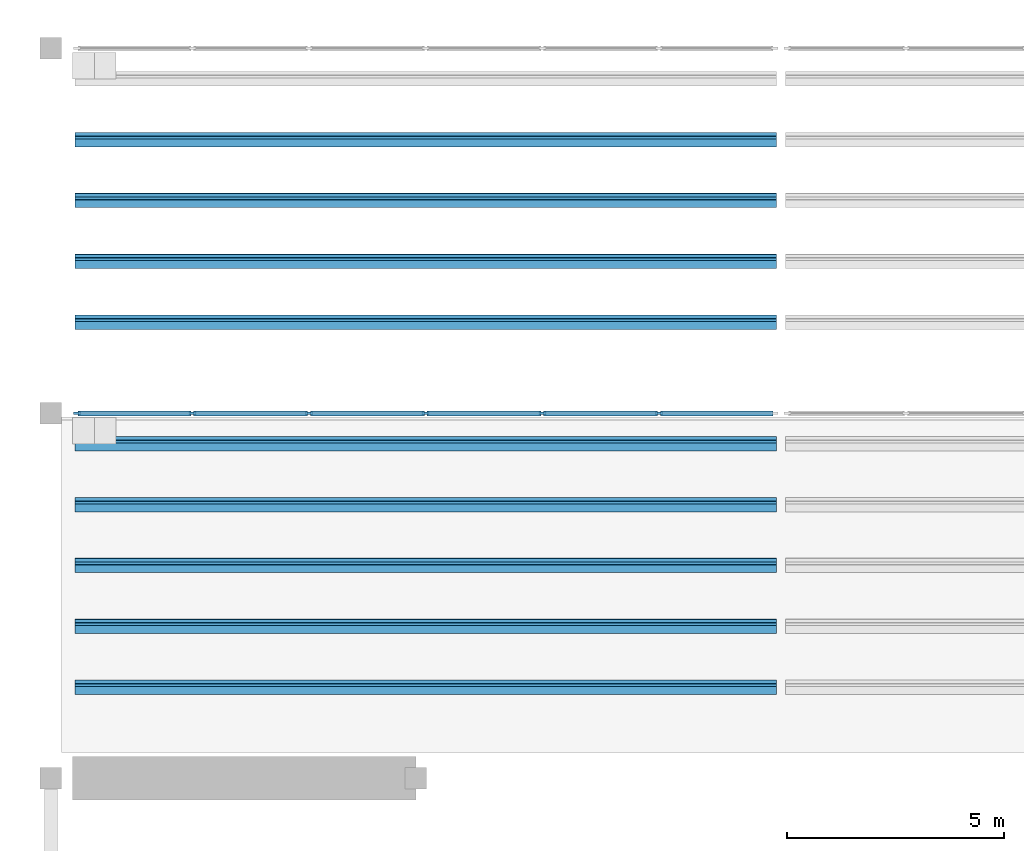
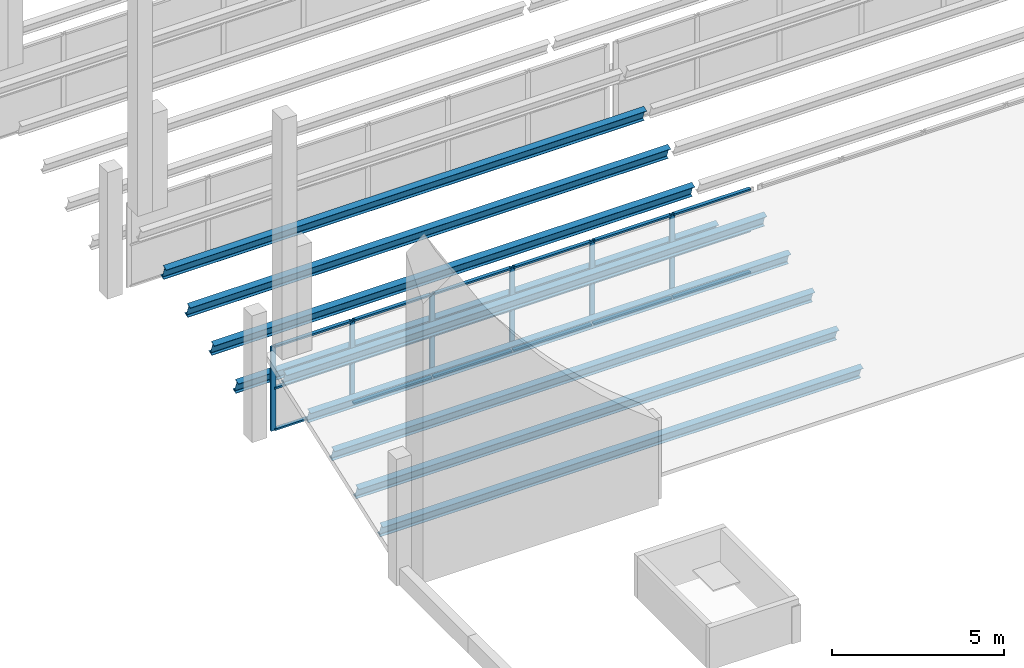
# One storey, part 6 of 116: 33 members, 1 element without a shape of its own.
"""IFC4 building model written with IfcOpenShell, lengths in metres."""

from ifc_helpers import new_model, si_unit, direction, frame, origin, origin_2d, place, context, subcontext, project, spatial, rectangle, i_section, extrude, material, material_profile, profile_set, type_object, element, aggregate, save


model = new_model("IFC4")

# Units and contexts
model_context = context("Model", 3, precision=1e-05, world=origin(), true_north=direction((0.0, 1.0)))
body_context = subcontext(model_context, "Body", "Model", "MODEL_VIEW")
ifc_project = project(units=[si_unit("LENGTHUNIT", "METRE"), si_unit("AREAUNIT", "SQUARE_METRE"), si_unit("VOLUMEUNIT", "CUBIC_METRE"), si_unit("PLANEANGLEUNIT", "RADIAN"), si_unit("MASSUNIT", "GRAM", prefix="KILO")], contexts=[model_context])

# Site, building, storey
site_placement = place(None, origin())
site = spatial("IfcSite", under=ifc_project, at=site_placement, CompositionType="ELEMENT")
building_placement = place(site_placement, origin())
building = spatial("IfcBuilding", under=site, at=building_placement, Name="Fescue Hill Polytechnic", CompositionType="ELEMENT")
storey_placement = place(building_placement, frame((0.0, 0.0, 13.5)))
storey = spatial("IfcBuildingStorey", under=building, at=storey_placement, Name="L03", CompositionType="ELEMENT", Elevation=13.5)

# Curtain wall, members
ifc_material_1 = material(Name="Aluminium and glass", Category="aluminium")
curtain_wall_type = type_object("IfcCurtainWallType", Name="Sawtooth north glazing curtain wall", PredefinedType="NOTDEFINED", material=ifc_material_1)
curtain_wall_placement = place(storey_placement, origin())
curtain_wall = element("IfcCurtainWall", 1, at=curtain_wall_placement, inside=storey, type_object=curtain_wall_type, Name="Sawtooth 1 north glazing bay 1", PredefinedType="NOTDEFINED")
ifc_material_2 = material(Name="Aluminium", Category="aluminium")
ifc_material_profile_1 = material_profile(ifc_material_2, rectangle(XDim=0.06005859375, YDim=0.159912109375, at=origin_2d()), Name="Curtain wall mullion 60x160")
ifc_profile_set_1 = profile_set([ifc_material_profile_1], Name="Aluminium")
member_type_1 = type_object("IfcMemberType", Name="Curtain wall mullion 60x160", PredefinedType="MULLION", material=ifc_profile_set_1)
member_1_placement = place(storey_placement, frame((0.60009765625, 25.199951171875, 0.0), z_axis=(0.0, 0.0, 1.0), x_axis=(0.0, 1.0, 0.0)))
member_1 = element("IfcMember", 2, at=member_1_placement, type_object=member_type_1, Name="CW1 mullion 1", PredefinedType="MULLION", context=body_context, shape_type="SweptSolid", body=[
    extrude(rectangle(XDim=0.06005859375, YDim=0.159912109375, at=origin_2d()), origin(), (0.0, 0.0, 1.0), 3.0),
])
member_2_placement = place(storey_placement, frame((3.2548828125, 25.199951171875, 0.0), z_axis=(0.0, 0.0, 1.0), x_axis=(0.0, 1.0, 0.0)))
member_2 = element("IfcMember", 3, at=member_2_placement, type_object=member_type_1, Name="CW1 mullion 2", PredefinedType="MULLION", context=body_context, shape_type="SweptSolid", body=[
    extrude(rectangle(XDim=0.06005859375, YDim=0.159912109375, at=origin_2d()), origin(), (0.0, 0.0, 1.0), 3.0),
])
member_3_placement = place(storey_placement, frame((5.93994140625, 25.199951171875, 0.0), z_axis=(0.0, 0.0, 1.0), x_axis=(0.0, 1.0, 0.0)))
member_3 = element("IfcMember", 4, at=member_3_placement, type_object=member_type_1, Name="CW1 mullion 3", PredefinedType="MULLION", context=body_context, shape_type="SweptSolid", body=[
    extrude(rectangle(XDim=0.06005859375, YDim=0.159912109375, at=origin_2d()), origin(), (0.0, 0.0, 1.0), 3.0),
])
member_4_placement = place(storey_placement, frame((8.625, 25.199951171875, 0.0), z_axis=(0.0, 0.0, 1.0), x_axis=(0.0, 1.0, 0.0)))
member_4 = element("IfcMember", 5, at=member_4_placement, type_object=member_type_1, Name="CW1 mullion 4", PredefinedType="MULLION", context=body_context, shape_type="SweptSolid", body=[
    extrude(rectangle(XDim=0.06005859375, YDim=0.159912109375, at=origin_2d()), origin(), (0.0, 0.0, 1.0), 3.0),
])
member_5_placement = place(storey_placement, frame((11.31005859375, 25.199951171875, 0.0), z_axis=(0.0, 0.0, 1.0), x_axis=(0.0, 1.0, 0.0)))
member_5 = element("IfcMember", 6, at=member_5_placement, type_object=member_type_1, Name="CW1 mullion 5", PredefinedType="MULLION", context=body_context, shape_type="SweptSolid", body=[
    extrude(rectangle(XDim=0.06005859375, YDim=0.159912109375, at=origin_2d()), origin(), (0.0, 0.0, 1.0), 3.0),
])
member_6_placement = place(storey_placement, frame((13.9951171875, 25.199951171875, 0.0), z_axis=(0.0, 0.0, 1.0), x_axis=(0.0, 1.0, 0.0)))
member_6 = element("IfcMember", 7, at=member_6_placement, type_object=member_type_1, Name="CW1 mullion 6", PredefinedType="MULLION", context=body_context, shape_type="SweptSolid", body=[
    extrude(rectangle(XDim=0.06005859375, YDim=0.159912109375, at=origin_2d()), origin(), (0.0, 0.0, 1.0), 3.0),
])
ifc_material_profile_2 = material_profile(ifc_material_2, rectangle(XDim=0.1201171875, YDim=0.06005859375, at=origin_2d()), Name="Curtain wall transom 60x120")
ifc_profile_set_2 = profile_set([ifc_material_profile_2], Name="Aluminium")
member_type_2 = type_object("IfcMemberType", Name="Curtain wall transom 60x120", PredefinedType="USERDEFINED", material=ifc_profile_set_2)
member_7_placement = place(storey_placement, frame((0.6298828125, 25.199951171875, 0.030029296875), z_axis=(1.0, 0.0, 0.0), x_axis=(0.0, 1.0, 0.0)))
member_7 = element("IfcMember", 8, at=member_7_placement, type_object=member_type_2, Name="CW1 transom 1.1", ObjectType="TRANSOM", PredefinedType="USERDEFINED", context=body_context, shape_type="SweptSolid", body=[
    extrude(rectangle(XDim=0.1201171875, YDim=0.06005859375, at=origin_2d()), origin(), (0.0, 0.0, 1.0), 2.59521484375),
])
member_8_placement = place(storey_placement, frame((0.6298828125, 25.199951171875, 1.5), z_axis=(1.0, 0.0, 0.0), x_axis=(0.0, 1.0, 0.0)))
member_8 = element("IfcMember", 9, at=member_8_placement, type_object=member_type_2, Name="CW1 transom 1.2", ObjectType="TRANSOM", PredefinedType="USERDEFINED", context=body_context, shape_type="SweptSolid", body=[
    extrude(rectangle(XDim=0.1201171875, YDim=0.06005859375, at=origin_2d()), origin(), (0.0, 0.0, 1.0), 2.59521484375),
])
member_9_placement = place(storey_placement, frame((0.6298828125, 25.199951171875, 2.969970703125), z_axis=(1.0, 0.0, 0.0), x_axis=(0.0, 1.0, 0.0)))
member_9 = element("IfcMember", 10, at=member_9_placement, type_object=member_type_2, Name="CW1 transom 1.3", ObjectType="TRANSOM", PredefinedType="USERDEFINED", context=body_context, shape_type="SweptSolid", body=[
    extrude(rectangle(XDim=0.1201171875, YDim=0.06005859375, at=origin_2d()), origin(), (0.0, 0.0, 1.0), 2.59521484375),
])
member_10_placement = place(storey_placement, frame((3.284912109375, 25.199951171875, 0.030029296875), z_axis=(1.0, 0.0, 0.0), x_axis=(0.0, 1.0, 0.0)))
member_10 = element("IfcMember", 11, at=member_10_placement, type_object=member_type_2, Name="CW1 transom 2.1", ObjectType="TRANSOM", PredefinedType="USERDEFINED", context=body_context, shape_type="SweptSolid", body=[
    extrude(rectangle(XDim=0.1201171875, YDim=0.06005859375, at=origin_2d()), origin(), (0.0, 0.0, 1.0), 2.625),
])
member_11_placement = place(storey_placement, frame((3.284912109375, 25.199951171875, 1.5), z_axis=(1.0, 0.0, 0.0), x_axis=(0.0, 1.0, 0.0)))
member_11 = element("IfcMember", 12, at=member_11_placement, type_object=member_type_2, Name="CW1 transom 2.2", ObjectType="TRANSOM", PredefinedType="USERDEFINED", context=body_context, shape_type="SweptSolid", body=[
    extrude(rectangle(XDim=0.1201171875, YDim=0.06005859375, at=origin_2d()), origin(), (0.0, 0.0, 1.0), 2.625),
])
member_12_placement = place(storey_placement, frame((3.284912109375, 25.199951171875, 2.969970703125), z_axis=(1.0, 0.0, 0.0), x_axis=(0.0, 1.0, 0.0)))
member_12 = element("IfcMember", 13, at=member_12_placement, type_object=member_type_2, Name="CW1 transom 2.3", ObjectType="TRANSOM", PredefinedType="USERDEFINED", context=body_context, shape_type="SweptSolid", body=[
    extrude(rectangle(XDim=0.1201171875, YDim=0.06005859375, at=origin_2d()), origin(), (0.0, 0.0, 1.0), 2.625),
])
member_13_placement = place(storey_placement, frame((5.969970703125, 25.199951171875, 0.030029296875), z_axis=(1.0, 0.0, 0.0), x_axis=(0.0, 1.0, 0.0)))
member_13 = element("IfcMember", 14, at=member_13_placement, type_object=member_type_2, Name="CW1 transom 3.1", ObjectType="TRANSOM", PredefinedType="USERDEFINED", context=body_context, shape_type="SweptSolid", body=[
    extrude(rectangle(XDim=0.1201171875, YDim=0.06005859375, at=origin_2d()), origin(), (0.0, 0.0, 1.0), 2.625),
])
member_14_placement = place(storey_placement, frame((5.969970703125, 25.199951171875, 1.5), z_axis=(1.0, 0.0, 0.0), x_axis=(0.0, 1.0, 0.0)))
member_14 = element("IfcMember", 15, at=member_14_placement, type_object=member_type_2, Name="CW1 transom 3.2", ObjectType="TRANSOM", PredefinedType="USERDEFINED", context=body_context, shape_type="SweptSolid", body=[
    extrude(rectangle(XDim=0.1201171875, YDim=0.06005859375, at=origin_2d()), origin(), (0.0, 0.0, 1.0), 2.625),
])
member_15_placement = place(storey_placement, frame((5.969970703125, 25.199951171875, 2.969970703125), z_axis=(1.0, 0.0, 0.0), x_axis=(0.0, 1.0, 0.0)))
member_15 = element("IfcMember", 16, at=member_15_placement, type_object=member_type_2, Name="CW1 transom 3.3", ObjectType="TRANSOM", PredefinedType="USERDEFINED", context=body_context, shape_type="SweptSolid", body=[
    extrude(rectangle(XDim=0.1201171875, YDim=0.06005859375, at=origin_2d()), origin(), (0.0, 0.0, 1.0), 2.625),
])
member_16_placement = place(storey_placement, frame((8.655029296875, 25.199951171875, 0.030029296875), z_axis=(1.0, 0.0, 0.0), x_axis=(0.0, 1.0, 0.0)))
member_16 = element("IfcMember", 17, at=member_16_placement, type_object=member_type_2, Name="CW1 transom 4.1", ObjectType="TRANSOM", PredefinedType="USERDEFINED", context=body_context, shape_type="SweptSolid", body=[
    extrude(rectangle(XDim=0.1201171875, YDim=0.06005859375, at=origin_2d()), origin(), (0.0, 0.0, 1.0), 2.625),
])
member_17_placement = place(storey_placement, frame((8.655029296875, 25.199951171875, 1.5), z_axis=(1.0, 0.0, 0.0), x_axis=(0.0, 1.0, 0.0)))
member_17 = element("IfcMember", 18, at=member_17_placement, type_object=member_type_2, Name="CW1 transom 4.2", ObjectType="TRANSOM", PredefinedType="USERDEFINED", context=body_context, shape_type="SweptSolid", body=[
    extrude(rectangle(XDim=0.1201171875, YDim=0.06005859375, at=origin_2d()), origin(), (0.0, 0.0, 1.0), 2.625),
])
member_18_placement = place(storey_placement, frame((8.655029296875, 25.199951171875, 2.969970703125), z_axis=(1.0, 0.0, 0.0), x_axis=(0.0, 1.0, 0.0)))
member_18 = element("IfcMember", 19, at=member_18_placement, type_object=member_type_2, Name="CW1 transom 4.3", ObjectType="TRANSOM", PredefinedType="USERDEFINED", context=body_context, shape_type="SweptSolid", body=[
    extrude(rectangle(XDim=0.1201171875, YDim=0.06005859375, at=origin_2d()), origin(), (0.0, 0.0, 1.0), 2.625),
])
member_19_placement = place(storey_placement, frame((11.340087890625, 25.199951171875, 0.030029296875), z_axis=(1.0, 0.0, 0.0), x_axis=(0.0, 1.0, 0.0)))
member_19 = element("IfcMember", 20, at=member_19_placement, type_object=member_type_2, Name="CW1 transom 5.1", ObjectType="TRANSOM", PredefinedType="USERDEFINED", context=body_context, shape_type="SweptSolid", body=[
    extrude(rectangle(XDim=0.1201171875, YDim=0.06005859375, at=origin_2d()), origin(), (0.0, 0.0, 1.0), 2.625),
])
member_20_placement = place(storey_placement, frame((11.340087890625, 25.199951171875, 1.5), z_axis=(1.0, 0.0, 0.0), x_axis=(0.0, 1.0, 0.0)))
member_20 = element("IfcMember", 21, at=member_20_placement, type_object=member_type_2, Name="CW1 transom 5.2", ObjectType="TRANSOM", PredefinedType="USERDEFINED", context=body_context, shape_type="SweptSolid", body=[
    extrude(rectangle(XDim=0.1201171875, YDim=0.06005859375, at=origin_2d()), origin(), (0.0, 0.0, 1.0), 2.625),
])
member_21_placement = place(storey_placement, frame((11.340087890625, 25.199951171875, 2.969970703125), z_axis=(1.0, 0.0, 0.0), x_axis=(0.0, 1.0, 0.0)))
member_21 = element("IfcMember", 22, at=member_21_placement, type_object=member_type_2, Name="CW1 transom 5.3", ObjectType="TRANSOM", PredefinedType="USERDEFINED", context=body_context, shape_type="SweptSolid", body=[
    extrude(rectangle(XDim=0.1201171875, YDim=0.06005859375, at=origin_2d()), origin(), (0.0, 0.0, 1.0), 2.625),
])
member_22_placement = place(storey_placement, frame((14.02490234375, 25.199951171875, 0.030029296875), z_axis=(1.0, 0.0, 0.0), x_axis=(0.0, 1.0, 0.0)))
member_22 = element("IfcMember", 23, at=member_22_placement, type_object=member_type_2, Name="CW1 transom 6.1", ObjectType="TRANSOM", PredefinedType="USERDEFINED", context=body_context, shape_type="SweptSolid", body=[
    extrude(rectangle(XDim=0.1201171875, YDim=0.06005859375, at=origin_2d()), origin(), (0.0, 0.0, 1.0), 2.59521484375),
])
member_23_placement = place(storey_placement, frame((14.02490234375, 25.199951171875, 1.5), z_axis=(1.0, 0.0, 0.0), x_axis=(0.0, 1.0, 0.0)))
member_23 = element("IfcMember", 24, at=member_23_placement, type_object=member_type_2, Name="CW1 transom 6.2", ObjectType="TRANSOM", PredefinedType="USERDEFINED", context=body_context, shape_type="SweptSolid", body=[
    extrude(rectangle(XDim=0.1201171875, YDim=0.06005859375, at=origin_2d()), origin(), (0.0, 0.0, 1.0), 2.59521484375),
])
member_24_placement = place(storey_placement, frame((14.02490234375, 25.199951171875, 2.969970703125), z_axis=(1.0, 0.0, 0.0), x_axis=(0.0, 1.0, 0.0)))
member_24 = element("IfcMember", 25, at=member_24_placement, type_object=member_type_2, Name="CW1 transom 6.3", ObjectType="TRANSOM", PredefinedType="USERDEFINED", context=body_context, shape_type="SweptSolid", body=[
    extrude(rectangle(XDim=0.1201171875, YDim=0.06005859375, at=origin_2d()), origin(), (0.0, 0.0, 1.0), 2.59521484375),
])
aggregate(curtain_wall, [member_1, member_2, member_3, member_4, member_5, member_6, member_7, member_8, member_9, member_10, member_11, member_12, member_13, member_14, member_15, member_16, member_17, member_18, member_19, member_20, member_21, member_22, member_23, member_24])

# Members
ifc_material_3 = material(Name="Steel 350W (350 MPa)", Category="steel")
ifc_material_profile_3 = material_profile(ifc_material_3, i_section(OverallWidth=0.18994140625, OverallDepth=0.45703125, WebThickness=0.009033203125, FlangeThickness=0.014404296875, FilletRadius=0.0166015625, at=origin_2d()), Name="W460x74")
ifc_profile_set_3 = profile_set([ifc_material_profile_3], Name="Steel 350W (350 MPa)")
member_type_3 = type_object("IfcMemberType", Name="Tooth purlin W460x74", PredefinedType="PURLIN", material=ifc_profile_set_3)
for number, where, z_axis, x_axis, name in (
    (26, (0.554443359375, 18.89990234375, 0.294921875), (1.0, 0.0, 0.0), (0.0, 0.941741911595, 0.336336396997), "Tooth 1 purlin 2 bay 1"),
    (27, (0.554443359375, 20.300048828125, 0.794921875), (1.0, 0.0, 0.0), (0.0, 0.941741911595, 0.336336396997), "Tooth 1 purlin 3 bay 1"),
    (28, (0.554443359375, 21.699951171875, 1.294921875), (1.0, 0.0, 0.0), (0.0, 0.941741911595, 0.336336396997), "Tooth 1 purlin 4 bay 1"),
    (29, (0.554443359375, 23.10009765625, 1.794921875), (1.0, 0.0, 0.0), (0.0, 0.941741911595, 0.336336396997), "Tooth 1 purlin 5 bay 1"),
    (30, (0.554443359375, 27.300048828125, 0.294921875), (1.0, 0.0, 0.0), (0.0, 0.941741911595, 0.336336396997), "Tooth 2 purlin 2 bay 1"),
    (31, (0.554443359375, 28.699951171875, 0.794921875), (1.0, 0.0, 0.0), (0.0, 0.941741911595, 0.336336396997), "Tooth 2 purlin 3 bay 1"),
    (32, (0.554443359375, 30.10009765625, 1.294921875), (1.0, 0.0, 0.0), (0.0, 0.941741911595, 0.336336396997), "Tooth 2 purlin 4 bay 1"),
    (33, (0.554443359375, 31.5, 1.794921875), (1.0, 0.0, 0.0), (0.0, 0.941741911595, 0.336336396997), "Tooth 2 purlin 5 bay 1"),
):
    element("IfcMember", number, at=place(storey_placement, frame(where, z_axis=z_axis, x_axis=x_axis)), inside=storey, type_object=member_type_3, Name=name, PredefinedType="PURLIN", context=body_context, shape_type="SweptSolid", body=[
        extrude(i_section(OverallWidth=0.18994140625, OverallDepth=0.45703125, WebThickness=0.009033203125, FlangeThickness=0.014404296875, FilletRadius=0.0166015625, at=origin_2d()), origin(), (0.0, 0.0, 1.0), 16.14111328125),
    ])
ifc_material_profile_4 = material_profile(ifc_material_3, i_section(OverallWidth=0.193115234375, OverallDepth=0.466064453125, WebThickness=0.011474609375, FlangeThickness=0.01904296875, FilletRadius=0.01708984375, at=origin_2d()), Name="W460x97")
ifc_profile_set_4 = profile_set([ifc_material_profile_4], Name="Steel 350W (350 MPa)")
member_type_4 = type_object("IfcMemberType", Name="Tooth ridge purlin W460x97", PredefinedType="PURLIN", material=ifc_profile_set_4)
member_25_placement = place(storey_placement, frame((0.554443359375, 24.5, 2.290283203125), z_axis=(1.0, 0.0, 0.0), x_axis=(0.0, 0.941741911595, 0.336336396997)))
element("IfcMember", 34, at=member_25_placement, inside=storey, type_object=member_type_4, Name="Tooth 1 ridge purlin bay 1", PredefinedType="PURLIN", context=body_context, shape_type="SweptSolid", body=[
    extrude(i_section(OverallWidth=0.193115234375, OverallDepth=0.466064453125, WebThickness=0.011474609375, FlangeThickness=0.01904296875, FilletRadius=0.01708984375, at=origin_2d()), origin(), (0.0, 0.0, 1.0), 16.14111328125),
])

save(model, "model.ifc")
